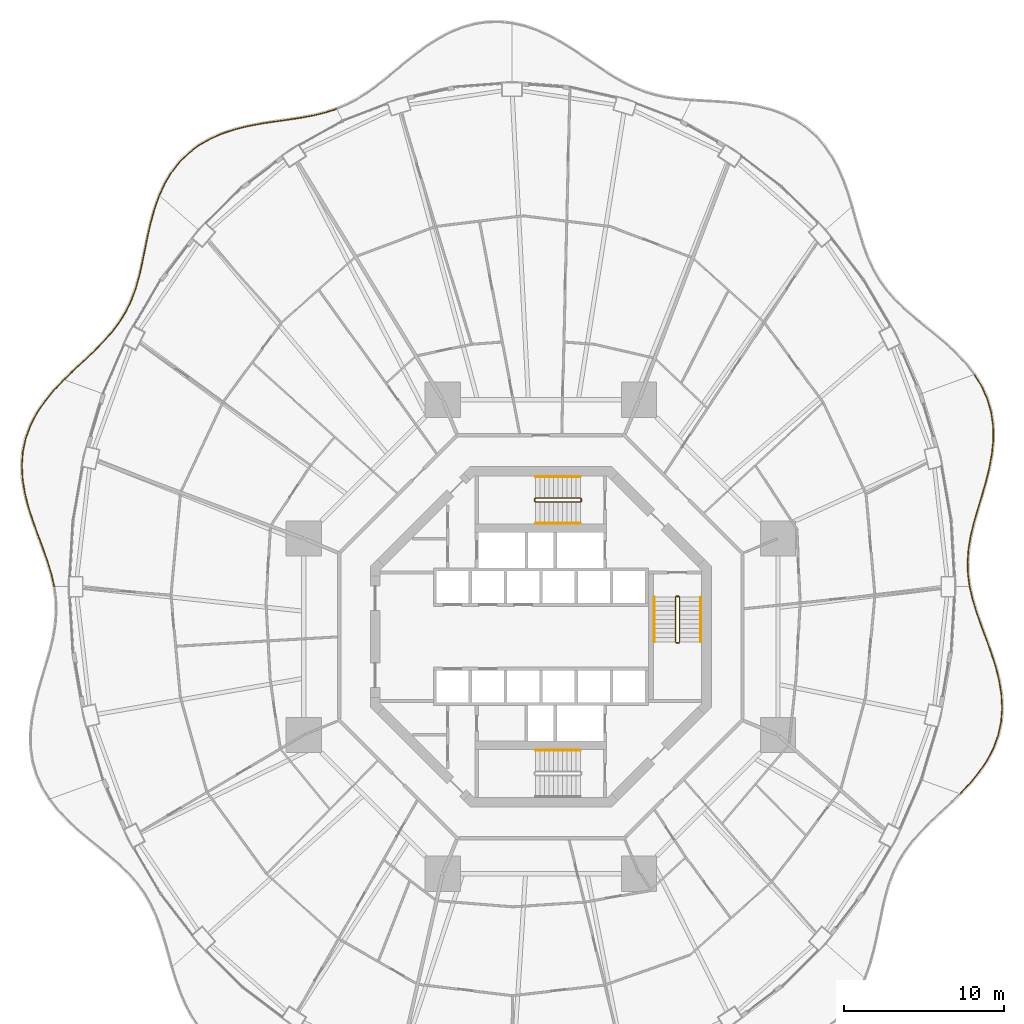
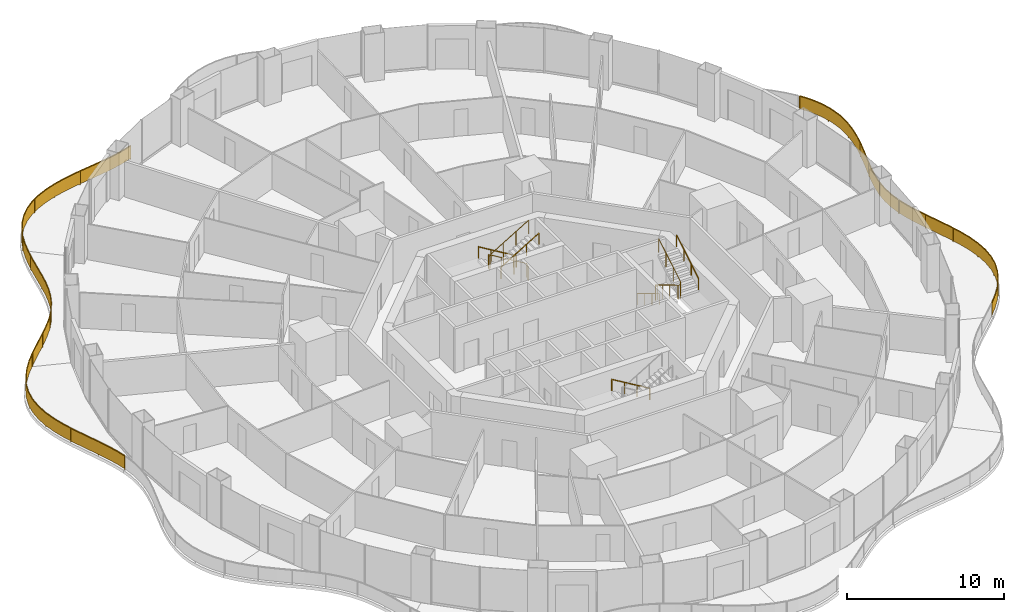
# One storey, part 23 of 24: 12 railings.
"""IFC4 building model written with IfcOpenShell, lengths in metres."""

from ifc_helpers import new_model, si_unit, direction, frame, origin, origin_2d, place, context, subcontext, project, spatial, polyline, rectangle, circle, outline, extrude, material, type_object, element, save


model = new_model("IFC4")

# Units and contexts
model_context = context("Model", 3, precision=1e-05, world=origin(), true_north=direction((0.0, 1.0)))
body_context = subcontext(model_context, "Body", "Model", "MODEL_VIEW")
ifc_project = project(units=[si_unit("LENGTHUNIT", "METRE"), si_unit("AREAUNIT", "SQUARE_METRE"), si_unit("VOLUMEUNIT", "CUBIC_METRE"), si_unit("PLANEANGLEUNIT", "RADIAN"), si_unit("MASSUNIT", "GRAM", prefix="KILO")], contexts=[model_context])

# Site, building, storey
site_placement = place(None, origin())
site = spatial("IfcSite", under=ifc_project, at=site_placement, CompositionType="ELEMENT")
building_placement = place(site_placement, origin())
building = spatial("IfcBuilding", under=site, at=building_placement, Name="Nagisa Residences", CompositionType="ELEMENT")
storey_placement = place(building_placement, frame((0.0, 0.0, 102.89990234375)))
storey = spatial("IfcBuildingStorey", under=building, at=storey_placement, Name="L25", CompositionType="ELEMENT", Elevation=102.89990234375)

# Railings
ifc_material_1 = material(Name="Stainless steel 316", Category="steel")
railing_type_1 = type_object("IfcRailingType", Name="BALCONY GUARD 1100", PredefinedType="BALUSTRADE", material=ifc_material_1)
railing_1_placement = place(storey_placement, frame((26.72900390625, 3.15234375, 0.0)))
element("IfcRailing", 1, at=railing_1_placement, inside=storey, type_object=railing_type_1, Name="guard:L25:bal00-0", PredefinedType="BALUSTRADE", context=body_context, shape_type="SweptSolid", body=[
    extrude(outline(polyline([(-0.12548828125, 0.743896484375), (-0.02490234375, -0.00341796875), (0.02490234375, 0.00341796875), (-0.07568359375, 0.747802734375), (-0.098876953125, 1.53271484375), (-0.039794921875, 2.3232421875), (0.09423828125, 3.12548828125), (0.28955078125, 3.94384765625), (0.529296875, 4.766845703125), (0.786865234375, 5.62255859375), (1.038330078125, 6.49462890625), (1.25732421875, 7.378662109375), (1.419189453125, 8.268310546875), (1.504638671875, 9.141357421875), (1.489013671875, 10.016357421875), (1.3642578125, 10.8701171875), (1.124755859375, 11.69384765625), (0.771728515625, 12.48046875), (0.3369140625, 13.184326171875), (0.29443359375, 13.157958984375), (0.727294921875, 12.45703125), (1.077880859375, 11.6767578125), (1.3154296875, 10.859375), (1.439208984375, 10.012451171875), (1.454345703125, 9.143310546875), (1.369384765625, 8.275146484375), (1.20849609375, 7.389404296875), (0.989990234375, 6.5078125), (0.739013671875, 5.63671875), (0.4814453125, 4.781005859375), (0.2412109375, 3.95654296875), (0.044921875, 3.13525390625), (-0.089599609375, 2.3291015625), (-0.149169921875, 1.53369140625), (-0.12548828125, 0.743896484375)])), frame((0.0, 0.0, 1.050048828125)), (0.0, 0.0, 1.0), 0.050048828125),
    extrude(outline(polyline([(-0.107666015625, 0.745361328125), (-0.0068359375, -0.0009765625), (0.0068359375, 0.0009765625), (-0.093505859375, 0.746337890625), (-0.116943359375, 1.532958984375), (-0.057861328125, 2.325439453125), (0.076416015625, 3.12890625), (0.272216796875, 3.948486328125), (0.511962890625, 4.77197265625), (0.769775390625, 5.627685546875), (1.02099609375, 6.49951171875), (1.23974609375, 7.382568359375), (1.401123046875, 8.270751953125), (1.486572265625, 9.14208984375), (1.47119140625, 10.014892578125), (1.3466796875, 10.8662109375), (1.10791015625, 11.687744140625), (0.755615234375, 12.471923828125), (0.321533203125, 13.1748046875), (0.309814453125, 13.16748046875), (0.743408203125, 12.465576171875), (1.0947265625, 11.682861328125), (1.3330078125, 10.86328125), (1.45703125, 10.013916015625), (1.472412109375, 9.142578125), (1.387451171875, 8.272705078125), (1.22607421875, 7.385498046875), (1.00732421875, 6.5029296875), (0.756103515625, 5.631591796875), (0.498779296875, 4.77587890625), (0.258544921875, 3.951904296875), (0.062744140625, 3.1318359375), (-0.071533203125, 2.326904296875), (-0.131103515625, 1.533447265625), (-0.107666015625, 0.745361328125)])), frame((0.0, 0.0, 0.06005859375)), (0.0, 0.0, 1.0), 0.989990234375),
    extrude(rectangle(XDim=0.0400390625, YDim=0.0400390625, at=origin_2d()), origin(), (0.0, 0.0, 1.0), 1.050048828125),
    extrude(rectangle(XDim=0.0400390625, YDim=0.0400390625, at=origin_2d()), frame((-0.06982421875, 2.259033203125, 0.0)), (0.0, 0.0, 1.0), 1.050048828125),
    extrude(rectangle(XDim=0.0400390625, YDim=0.0400390625, at=origin_2d()), frame((0.417236328125, 4.47119140625, 0.0)), (0.0, 0.0, 1.0), 1.050048828125),
    extrude(rectangle(XDim=0.0400390625, YDim=0.0400390625, at=origin_2d()), frame((1.05078125, 6.649169921875, 0.0)), (0.0, 0.0, 1.0), 1.050048828125),
    extrude(rectangle(XDim=0.0400390625, YDim=0.0400390625, at=origin_2d()), frame((1.45361328125, 8.877685546875, 0.0)), (0.0, 0.0, 1.0), 1.050048828125),
    extrude(rectangle(XDim=0.0400390625, YDim=0.0400390625, at=origin_2d()), frame((1.264404296875, 11.124755859375, 0.0)), (0.0, 0.0, 1.0), 1.050048828125),
    extrude(rectangle(XDim=0.0400390625, YDim=0.0400390625, at=origin_2d()), frame((0.315673828125, 13.171142578125, 0.0)), (0.0, 0.0, 1.0), 1.050048828125),
])
railing_2_placement = place(storey_placement, frame((-12.752197265625, 32.90380859375, 0.0)))
element("IfcRailing", 2, at=railing_2_placement, inside=storey, type_object=railing_type_1, Name="guard:L25:bal05-0", PredefinedType="BALUSTRADE", context=body_context, shape_type="SweptSolid", body=[
    extrude(outline(polyline([(-0.658447265625, -0.240478515625), (0.0078125, -0.023681640625), (-0.0078125, 0.023681640625), (-0.672119140625, -0.192138671875), (-1.409912109375, -0.373291015625), (-2.180908203125, -0.51708984375), (-2.982177734375, -0.63916015625), (-3.806640625, -0.755859375), (-4.631103515625, -0.87548828125), (-5.471923828125, -1.0341796875), (-6.301025390625, -1.23828125), (-7.10498046875, -1.501708984375), (-7.86865234375, -1.834716796875), (-8.567626953125, -2.233642578125), (-9.215576171875, -2.722412109375), (-9.791748046875, -3.288818359375), (-10.2919921875, -3.927490234375), (-10.71533203125, -4.62939453125), (-11.0439453125, -5.341552734375), (-10.99853515625, -5.362548828125), (-10.6708984375, -4.65283203125), (-10.25048828125, -3.955810546875), (-9.754150390625, -3.322021484375), (-9.182861328125, -2.760498046875), (-8.540283203125, -2.275634765625), (-7.84619140625, -1.879638671875), (-7.0869140625, -1.548583984375), (-6.287353515625, -1.28662109375), (-5.461181640625, -1.0830078125), (-4.622802734375, -0.9248046875), (-3.79931640625, -0.80517578125), (-2.974853515625, -0.6884765625), (-2.172607421875, -0.56640625), (-1.399169921875, -0.422119140625), (-0.658447265625, -0.240478515625)])), frame((0.0, 0.0, 1.050048828125)), (0.0, 0.0, 1.0), 0.050048828125),
    extrude(outline(polyline([(-0.663330078125, -0.22314453125), (0.002197265625, -0.006591796875), (-0.002197265625, 0.006591796875), (-0.667236328125, -0.20947265625), (-1.406005859375, -0.390869140625), (-2.177978515625, -0.534912109375), (-2.9794921875, -0.656982421875), (-3.803955078125, -0.773681640625), (-4.628173828125, -0.893310546875), (-5.468017578125, -1.0517578125), (-6.296142578125, -1.255615234375), (-7.098388671875, -1.5185546875), (-7.860595703125, -1.850830078125), (-8.557861328125, -2.248779296875), (-9.203857421875, -2.736083984375), (-9.778076171875, -3.30078125), (-10.277099609375, -3.937744140625), (-10.69921875, -4.637939453125), (-11.027587890625, -5.34912109375), (-11.014892578125, -5.35498046875), (-10.68701171875, -4.644287109375), (-10.265380859375, -3.945556640625), (-9.767822265625, -3.31005859375), (-9.194580078125, -2.746826171875), (-8.550048828125, -2.260498046875), (-7.854248046875, -1.863525390625), (-7.093505859375, -1.53173828125), (-6.292236328125, -1.269287109375), (-5.465087890625, -1.0654296875), (-4.625732421875, -0.906982421875), (-3.802001953125, -0.787353515625), (-2.9775390625, -0.670654296875), (-2.175537109375, -0.548583984375), (-1.403076171875, -0.404541015625), (-0.663330078125, -0.22314453125)])), frame((0.0, 0.0, 0.06005859375)), (0.0, 0.0, 1.0), 0.989990234375),
    extrude(rectangle(XDim=0.0400390625, YDim=0.0400390625, at=origin_2d()), origin(), (0.0, 0.0, 1.0), 1.050048828125),
    extrude(rectangle(XDim=0.0400390625, YDim=0.0400390625, at=origin_2d()), frame((-2.08642578125, -0.52490234375, 0.0)), (0.0, 0.0, 1.0), 1.050048828125),
    extrude(rectangle(XDim=0.0400390625, YDim=0.0400390625, at=origin_2d()), frame((-4.217529296875, -0.8408203125, 0.0)), (0.0, 0.0, 1.0), 1.050048828125),
    extrude(rectangle(XDim=0.0400390625, YDim=0.0400390625, at=origin_2d()), frame((-6.326416015625, -1.27294921875, 0.0)), (0.0, 0.0, 1.0), 1.050048828125),
    extrude(rectangle(XDim=0.0400390625, YDim=0.0400390625, at=origin_2d()), frame((-8.3037109375, -2.11181640625, 0.0)), (0.0, 0.0, 1.0), 1.050048828125),
    extrude(rectangle(XDim=0.0400390625, YDim=0.0400390625, at=origin_2d()), frame((-9.92919921875, -3.505126953125, 0.0)), (0.0, 0.0, 1.0), 1.050048828125),
    extrude(rectangle(XDim=0.0400390625, YDim=0.0400390625, at=origin_2d()), frame((-11.021240234375, -5.35205078125, 0.0)), (0.0, 0.0, 1.0), 1.050048828125),
])
railing_3_placement = place(storey_placement, frame((-23.802001953125, 27.47998046875, 0.0)))
element("IfcRailing", 3, at=railing_3_placement, inside=storey, type_object=railing_type_1, Name="guard:L25:bal06-0", PredefinedType="BALUSTRADE", context=body_context, shape_type="SweptSolid", body=[
    extrude(outline(polyline([(-0.255859375, -0.795166015625), (0.023681640625, -0.00830078125), (-0.023681640625, 0.00830078125), (-0.3037109375, -0.780029296875), (-0.542724609375, -1.63818359375), (-0.73974609375, -2.505126953125), (-0.913818359375, -3.365966796875), (-1.084716796875, -4.20654296875), (-1.263671875, -5.00390625), (-1.485595703125, -5.775390625), (-1.757080078125, -6.505615234375), (-2.08935546875, -7.194580078125), (-2.488525390625, -7.845947265625), (-2.947998046875, -8.453857421875), (-3.477294921875, -9.052734375), (-4.058837890625, -9.64013671875), (-4.677490234375, -10.2265625), (-5.314453125, -10.822998046875), (-5.916748046875, -11.405029296875), (-5.882080078125, -11.441162109375), (-5.27978515625, -10.859130859375), (-4.643310546875, -10.26318359375), (-4.023681640625, -9.67578125), (-3.440673828125, -9.0869140625), (-2.909423828125, -8.485595703125), (-2.447021484375, -7.874267578125), (-2.04541015625, -7.218505859375), (-1.711181640625, -6.525146484375), (-1.438232421875, -5.791015625), (-1.21533203125, -5.01611328125), (-1.035888671875, -4.216796875), (-0.864990234375, -3.375732421875), (-0.69091796875, -2.515869140625), (-0.494384765625, -1.650390625), (-0.255859375, -0.795166015625)])), frame((0.0, 0.0, 1.050048828125)), (0.0, 0.0, 1.0), 0.050048828125),
    extrude(outline(polyline([(-0.273193359375, -0.789794921875), (0.006591796875, -0.00244140625), (-0.006591796875, 0.00244140625), (-0.286376953125, -0.785400390625), (-0.525390625, -1.642578125), (-0.72216796875, -2.509033203125), (-0.896240234375, -3.369384765625), (-1.067138671875, -4.210205078125), (-1.246337890625, -5.00830078125), (-1.468505859375, -5.781005859375), (-1.740478515625, -6.5126953125), (-2.073486328125, -7.203125), (-2.4736328125, -7.856201171875), (-2.93408203125, -8.46533203125), (-3.464111328125, -9.06494140625), (-4.046142578125, -9.653076171875), (-4.665283203125, -10.23974609375), (-5.302001953125, -10.8359375), (-5.904296875, -11.41796875), (-5.89453125, -11.42822265625), (-5.292236328125, -10.84619140625), (-4.655517578125, -10.25), (-4.036376953125, -9.662841796875), (-3.453857421875, -9.07470703125), (-2.92333984375, -8.47412109375), (-2.4619140625, -7.864013671875), (-2.061279296875, -7.2099609375), (-1.727783203125, -6.51806640625), (-1.455322265625, -5.785400390625), (-1.232666015625, -5.01171875), (-1.053466796875, -4.213134765625), (-0.882568359375, -3.372314453125), (-0.70849609375, -2.511962890625), (-0.51171875, -1.64599609375), (-0.273193359375, -0.789794921875)])), frame((0.0, 0.0, 0.06005859375)), (0.0, 0.0, 1.0), 0.989990234375),
    extrude(rectangle(XDim=0.0400390625, YDim=0.0400390625, at=origin_2d()), origin(), (0.0, 0.0, 1.0), 1.050048828125),
    extrude(rectangle(XDim=0.0400390625, YDim=0.0400390625, at=origin_2d()), frame((-0.625244140625, -2.1142578125, 0.0)), (0.0, 0.0, 1.0), 1.050048828125),
    extrude(rectangle(XDim=0.0400390625, YDim=0.0400390625, at=origin_2d()), frame((-1.074462890625, -4.275146484375, 0.0)), (0.0, 0.0, 1.0), 1.050048828125),
    extrude(rectangle(XDim=0.0400390625, YDim=0.0400390625, at=origin_2d()), frame((-1.688232421875, -6.391845703125, 0.0)), (0.0, 0.0, 1.0), 1.050048828125),
    extrude(rectangle(XDim=0.0400390625, YDim=0.0400390625, at=origin_2d()), frame((-2.79443359375, -8.2919921875, 0.0)), (0.0, 0.0, 1.0), 1.050048828125),
    extrude(rectangle(XDim=0.0400390625, YDim=0.0400390625, at=origin_2d()), frame((-4.299560546875, -9.90283203125, 0.0)), (0.0, 0.0, 1.0), 1.050048828125),
    extrude(rectangle(XDim=0.0400390625, YDim=0.0400390625, at=origin_2d()), frame((-5.8994140625, -11.423095703125, 0.0)), (0.0, 0.0, 1.0), 1.050048828125),
])
railing_4_placement = place(storey_placement, frame((-29.75634765625, 16.003173828125, 0.0)))
element("IfcRailing", 4, at=railing_4_placement, inside=storey, type_object=railing_type_1, Name="guard:L25:bal07-0", PredefinedType="BALUSTRADE", context=body_context, shape_type="SweptSolid", body=[
    extrude(outline(polyline([(-0.5771484375, -0.64453125), (0.01806640625, -0.017333984375), (-0.01806640625, 0.017333984375), (-0.61474609375, -0.611328125), (-1.187744140625, -1.3095703125), (-1.685791015625, -2.044921875), (-2.089599609375, -2.818603515625), (-2.38525390625, -3.62646484375), (-2.562255859375, -4.450439453125), (-2.62646484375, -5.310302734375), (-2.58056640625, -6.183837890625), (-2.437744140625, -7.062744140625), (-2.216552734375, -7.939208984375), (-1.937744140625, -8.792724609375), (-1.630126953125, -9.64599609375), (-1.31884765625, -10.482421875), (-1.029296875, -11.301513671875), (-0.784423828125, -12.10498046875), (-0.611328125, -12.85693359375), (-0.5625, -12.845703125), (-0.736083984375, -12.09228515625), (-0.98193359375, -11.285888671875), (-1.27197265625, -10.46533203125), (-1.583251953125, -9.62890625), (-1.890380859375, -8.776611328125), (-2.168212890625, -7.925537109375), (-2.388916015625, -7.052490234375), (-2.53076171875, -6.178466796875), (-2.576171875, -5.310791015625), (-2.512451171875, -4.457763671875), (-2.3369140625, -3.640625), (-2.043701171875, -2.838623046875), (-1.642822265625, -2.07080078125), (-1.147705078125, -1.33935546875), (-0.5771484375, -0.64453125)])), frame((0.0, 0.0, 1.050048828125)), (0.0, 0.0, 1.0), 0.050048828125),
    extrude(outline(polyline([(-0.590576171875, -0.632568359375), (0.005126953125, -0.0048828125), (-0.005126953125, 0.0048828125), (-0.601318359375, -0.623291015625), (-1.17333984375, -1.3203125), (-1.67041015625, -2.05419921875), (-2.072998046875, -2.82568359375), (-2.367919921875, -3.631591796875), (-2.544189453125, -4.453125), (-2.6083984375, -5.310546875), (-2.562744140625, -6.181884765625), (-2.420166015625, -7.05908203125), (-2.19921875, -7.934326171875), (-1.920654296875, -8.786865234375), (-1.61328125, -9.639892578125), (-1.302001953125, -10.476318359375), (-1.01220703125, -11.2958984375), (-0.76708984375, -12.100341796875), (-0.59375, -12.852783203125), (-0.580078125, -12.849853515625), (-0.75341796875, -12.096923828125), (-0.9990234375, -11.29150390625), (-1.288818359375, -10.471435546875), (-1.60009765625, -9.635009765625), (-1.907470703125, -8.782470703125), (-2.185546875, -7.930419921875), (-2.406494140625, -7.05615234375), (-2.548583984375, -6.180419921875), (-2.59423828125, -5.310546875), (-2.530517578125, -4.455078125), (-2.354248046875, -3.635498046875), (-2.060302734375, -2.83154296875), (-1.658203125, -2.0615234375), (-1.162109375, -1.32861328125), (-0.590576171875, -0.632568359375)])), frame((0.0, 0.0, 0.06005859375)), (0.0, 0.0, 1.0), 0.989990234375),
    extrude(rectangle(XDim=0.0400390625, YDim=0.0400390625, at=origin_2d()), origin(), (0.0, 0.0, 1.0), 1.050048828125),
    extrude(rectangle(XDim=0.0400390625, YDim=0.0400390625, at=origin_2d()), frame((-1.477783203125, -1.7822265625, 0.0)), (0.0, 0.0, 1.0), 1.050048828125),
    extrude(rectangle(XDim=0.0400390625, YDim=0.0400390625, at=origin_2d()), frame((-2.415771484375, -3.887939453125, 0.0)), (0.0, 0.0, 1.0), 1.050048828125),
    extrude(rectangle(XDim=0.0400390625, YDim=0.0400390625, at=origin_2d()), frame((-2.553955078125, -6.191162109375, 0.0)), (0.0, 0.0, 1.0), 1.050048828125),
    extrude(rectangle(XDim=0.0400390625, YDim=0.0400390625, at=origin_2d()), frame((-2.02490234375, -8.4453125, 0.0)), (0.0, 0.0, 1.0), 1.050048828125),
    extrude(rectangle(XDim=0.0400390625, YDim=0.0400390625, at=origin_2d()), frame((-1.24072265625, -10.628173828125, 0.0)), (0.0, 0.0, 1.0), 1.050048828125),
    extrude(rectangle(XDim=0.0400390625, YDim=0.0400390625, at=origin_2d()), frame((-0.5869140625, -12.851318359375, 0.0)), (0.0, 0.0, 1.0), 1.050048828125),
])
railing_5_placement = place(storey_placement, frame((26.15625, -9.767822265625, 0.0)))
element("IfcRailing", 5, at=railing_5_placement, inside=storey, type_object=railing_type_1, Name="guard:L25:bal15-0", PredefinedType="BALUSTRADE", context=body_context, shape_type="SweptSolid", body=[
    extrude(outline(polyline([(0.5771484375, 0.644775390625), (-0.01806640625, 0.017333984375), (0.01806640625, -0.017333984375), (0.61474609375, 0.611572265625), (1.18798828125, 1.3095703125), (1.685791015625, 2.044921875), (2.089599609375, 2.818359375), (2.385498046875, 3.62646484375), (2.5625, 4.450439453125), (2.62646484375, 5.310302734375), (2.58056640625, 6.183837890625), (2.437744140625, 7.062744140625), (2.216552734375, 7.939208984375), (1.937744140625, 8.792724609375), (1.63037109375, 9.64599609375), (1.319091796875, 10.482421875), (1.029541015625, 11.301513671875), (0.78466796875, 12.10498046875), (0.611328125, 12.85693359375), (0.5625, 12.845703125), (0.736328125, 12.09228515625), (0.982177734375, 11.285888671875), (1.272216796875, 10.46533203125), (1.58349609375, 9.62890625), (1.890380859375, 8.776611328125), (2.168212890625, 7.925537109375), (2.388916015625, 7.052490234375), (2.53076171875, 6.178466796875), (2.576171875, 5.310791015625), (2.5126953125, 4.457763671875), (2.337158203125, 3.640625), (2.043701171875, 2.8388671875), (1.642822265625, 2.07080078125), (1.14794921875, 1.33935546875), (0.5771484375, 0.644775390625)])), frame((0.0, 0.0, 1.050048828125)), (0.0, 0.0, 1.0), 0.050048828125),
    extrude(outline(polyline([(0.590576171875, 0.6328125), (-0.005126953125, 0.0048828125), (0.005126953125, -0.0048828125), (0.601318359375, 0.62353515625), (1.173583984375, 1.3203125), (1.67041015625, 2.05419921875), (2.072998046875, 2.82568359375), (2.3681640625, 3.631591796875), (2.54443359375, 4.453125), (2.6083984375, 5.310546875), (2.562744140625, 6.181884765625), (2.420166015625, 7.05908203125), (2.19921875, 7.934326171875), (1.920654296875, 8.786865234375), (1.613525390625, 9.639892578125), (1.30224609375, 10.476318359375), (1.012451171875, 11.2958984375), (0.767333984375, 12.100341796875), (0.59375, 12.852783203125), (0.580078125, 12.849853515625), (0.753662109375, 12.096923828125), (0.999267578125, 11.29150390625), (1.2890625, 10.471435546875), (1.600341796875, 9.635009765625), (1.907470703125, 8.782470703125), (2.185546875, 7.930419921875), (2.406494140625, 7.05615234375), (2.548583984375, 6.180419921875), (2.59423828125, 5.310546875), (2.53076171875, 4.455078125), (2.3544921875, 3.635498046875), (2.060302734375, 2.83154296875), (1.658203125, 2.0615234375), (1.162353515625, 1.32861328125), (0.590576171875, 0.6328125)])), frame((0.0, 0.0, 0.06005859375)), (0.0, 0.0, 1.0), 0.989990234375),
    extrude(rectangle(XDim=0.0400390625, YDim=0.0400390625, at=origin_2d()), origin(), (0.0, 0.0, 1.0), 1.050048828125),
    extrude(rectangle(XDim=0.0400390625, YDim=0.0400390625, at=origin_2d()), frame((1.477783203125, 1.7822265625, 0.0)), (0.0, 0.0, 1.0), 1.050048828125),
    extrude(rectangle(XDim=0.0400390625, YDim=0.0400390625, at=origin_2d()), frame((2.416015625, 3.887939453125, 0.0)), (0.0, 0.0, 1.0), 1.050048828125),
    extrude(rectangle(XDim=0.0400390625, YDim=0.0400390625, at=origin_2d()), frame((2.553955078125, 6.19091796875, 0.0)), (0.0, 0.0, 1.0), 1.050048828125),
    extrude(rectangle(XDim=0.0400390625, YDim=0.0400390625, at=origin_2d()), frame((2.02490234375, 8.4453125, 0.0)), (0.0, 0.0, 1.0), 1.050048828125),
    extrude(rectangle(XDim=0.0400390625, YDim=0.0400390625, at=origin_2d()), frame((1.240966796875, 10.628173828125, 0.0)), (0.0, 0.0, 1.0), 1.050048828125),
    extrude(rectangle(XDim=0.0400390625, YDim=0.0400390625, at=origin_2d()), frame((0.5869140625, 12.851318359375, 0.0)), (0.0, 0.0, 1.0), 1.050048828125),
])
ifc_material_2 = material(Name="Stainless steel", Category="steel")
railing_type_2 = type_object("IfcRailingType", Name="Stair guard 1100", PredefinedType="GUARDRAIL", material=ifc_material_2)
railing_6_placement = place(storey_placement, frame((8.599609375, 2.52490234375, 0.0)))
element("IfcRailing", 6, at=railing_6_placement, inside=storey, type_object=railing_type_2, Name="L25 ST-E stair guard 1", PredefinedType="GUARDRAIL", context=body_context, shape_type="SweptSolid", body=[
    extrude(circle(Radius=0.02392578125, at=origin_2d()), frame((0.0, 0.0, 1.076171875), z_axis=(-1.0, 0.0, 0.0), x_axis=(0.0, -1.0, 0.0)), (0.0, 0.0, 1.0), 0.14990234375),
    extrude(circle(Radius=0.02392578125, at=origin_2d()), frame((-0.14990234375, 0.0, 1.076171875), z_axis=(-0.27434429532, -0.273006030465, 0.922064485248), x_axis=(0.705375805398, -0.708833529934, 0.0)), (0.0, 0.0, 1.0), 0.182373046875),
    extrude(circle(Radius=0.02392578125, at=origin_2d()), frame((-0.199951171875, -0.0498046875, 1.244140625), z_axis=(0.0, -0.857242210791, 0.514913383045), x_axis=(1.0, 0.0, 0.0)), (0.0, 0.0, 1.0), 3.266357421875),
    extrude(circle(Radius=0.02392578125, at=origin_2d()), frame((-0.199951171875, -2.849853515625, 2.92626953125), z_axis=(0.707106781187, -0.707106781187, 0.0), x_axis=(0.707106781187, 0.707106781187, 0.0)), (0.0, 0.0, 1.0), 0.07080078125),
    extrude(circle(Radius=0.02392578125, at=origin_2d()), frame((-0.14990234375, -2.89990234375, 2.92626953125), z_axis=(1.0, 0.0, 0.0), x_axis=(0.0, 1.0, 0.0)), (0.0, 0.0, 1.0), 0.14990234375),
    extrude(circle(Radius=0.02392578125, at=origin_2d()), frame((0.0, -2.89990234375, 2.92626953125), z_axis=(0.274243871929, 0.274243871929, 0.92172696468), x_axis=(-0.707106781187, 0.707106781187, 0.0)), (0.0, 0.0, 1.0), 0.1826171875),
    extrude(circle(Radius=0.02392578125, at=origin_2d()), frame((0.050048828125, -2.849853515625, 3.09423828125), z_axis=(0.0, 0.857242210791, 0.514913383045), x_axis=(-1.0, 0.0, 0.0)), (0.0, 0.0, 1.0), 3.266357421875),
    extrude(circle(Radius=0.02099609375, at=origin_2d()), origin(), (0.0, 0.0, 1.0), 1.052001953125),
    extrude(circle(Radius=0.02099609375, at=origin_2d()), frame((-0.14990234375, 0.0, 0.0)), (0.0, 0.0, 1.0), 1.052001953125),
    extrude(circle(Radius=0.02099609375, at=origin_2d()), frame((-0.199951171875, -0.0498046875, 0.168212890625)), (0.0, 0.0, 1.0), 1.052001953125),
    extrude(circle(Radius=0.02099609375, at=origin_2d()), frame((-0.199951171875, -0.983154296875, 0.728759765625)), (0.0, 0.0, 1.0), 1.052001953125),
    extrude(circle(Radius=0.02099609375, at=origin_2d()), frame((-0.199951171875, -1.91650390625, 1.28955078125)), (0.0, 0.0, 1.0), 1.052001953125),
    extrude(circle(Radius=0.02099609375, at=origin_2d()), frame((-0.199951171875, -2.849853515625, 1.85009765625)), (0.0, 0.0, 1.0), 1.052001953125),
    extrude(circle(Radius=0.02099609375, at=origin_2d()), frame((-0.14990234375, -2.89990234375, 1.85009765625)), (0.0, 0.0, 1.0), 1.052001953125),
    extrude(circle(Radius=0.02099609375, at=origin_2d()), frame((0.0, -2.89990234375, 1.85009765625)), (0.0, 0.0, 1.0), 1.052001953125),
    extrude(circle(Radius=0.02099609375, at=origin_2d()), frame((0.050048828125, -2.849853515625, 2.018310546875)), (0.0, 0.0, 1.0), 1.052001953125),
    extrude(circle(Radius=0.02099609375, at=origin_2d()), frame((0.050048828125, -1.91650390625, 2.578857421875)), (0.0, 0.0, 1.0), 1.052001953125),
    extrude(circle(Radius=0.02099609375, at=origin_2d()), frame((0.050048828125, -0.983154296875, 3.1396484375)), (0.0, 0.0, 1.0), 1.052001953125),
    extrude(circle(Radius=0.02099609375, at=origin_2d()), frame((0.050048828125, -0.0498046875, 3.7001953125)), (0.0, 0.0, 1.0), 1.052001953125),
])
railing_7_placement = place(storey_placement, frame((2.52490234375, 8.44970703125, 0.0)))
element("IfcRailing", 7, at=railing_7_placement, inside=storey, type_object=railing_type_2, Name="L25 ST-N stair guard 1", PredefinedType="GUARDRAIL", context=body_context, shape_type="SweptSolid", body=[
    extrude(circle(Radius=0.02392578125, at=origin_2d()), frame((0.0, 0.0, 1.076171875), z_axis=(0.0, 1.0, 0.0), x_axis=(-1.0, 0.0, 0.0)), (0.0, 0.0, 1.0), 0.14990234375),
    extrude(circle(Radius=0.02392578125, at=origin_2d()), frame((0.0, 0.14990234375, 1.076171875), z_axis=(-0.273006030465, 0.27434429532, 0.922064485248), x_axis=(-0.708833529934, -0.705375805398, 0.0)), (0.0, 0.0, 1.0), 0.182373046875),
    extrude(circle(Radius=0.02392578125, at=origin_2d()), frame((-0.0498046875, 0.199951171875, 1.244140625), z_axis=(-0.857242210791, 0.0, 0.514913383045), x_axis=(0.0, -1.0, 0.0)), (0.0, 0.0, 1.0), 3.266357421875),
    extrude(circle(Radius=0.02392578125, at=origin_2d()), frame((-2.849853515625, 0.199951171875, 2.92626953125), z_axis=(-0.707106781187, -0.707106781187, 0.0), x_axis=(0.707106781187, -0.707106781187, 0.0)), (0.0, 0.0, 1.0), 0.07080078125),
    extrude(circle(Radius=0.02392578125, at=origin_2d()), frame((-2.89990234375, 0.14990234375, 2.92626953125), z_axis=(0.0, -1.0, 0.0), x_axis=(1.0, 0.0, 0.0)), (0.0, 0.0, 1.0), 0.14990234375),
    extrude(circle(Radius=0.02392578125, at=origin_2d()), frame((-2.89990234375, 0.0, 2.92626953125), z_axis=(0.274243871929, -0.274243871929, 0.92172696468), x_axis=(0.707106781187, 0.707106781187, 0.0)), (0.0, 0.0, 1.0), 0.1826171875),
    extrude(circle(Radius=0.02392578125, at=origin_2d()), frame((-2.849853515625, -0.050048828125, 3.09423828125), z_axis=(0.857242210791, 0.0, 0.514913383045), x_axis=(0.0, 1.0, 0.0)), (0.0, 0.0, 1.0), 3.266357421875),
    extrude(circle(Radius=0.02099609375, at=origin_2d()), origin(), (0.0, 0.0, 1.0), 1.052001953125),
    extrude(circle(Radius=0.02099609375, at=origin_2d()), frame((0.0, 0.14990234375, 0.0)), (0.0, 0.0, 1.0), 1.052001953125),
    extrude(circle(Radius=0.02099609375, at=origin_2d()), frame((-0.0498046875, 0.199951171875, 0.168212890625)), (0.0, 0.0, 1.0), 1.052001953125),
    extrude(circle(Radius=0.02099609375, at=origin_2d()), frame((-0.983154296875, 0.199951171875, 0.728759765625)), (0.0, 0.0, 1.0), 1.052001953125),
    extrude(circle(Radius=0.02099609375, at=origin_2d()), frame((-1.91650390625, 0.199951171875, 1.28955078125)), (0.0, 0.0, 1.0), 1.052001953125),
    extrude(circle(Radius=0.02099609375, at=origin_2d()), frame((-2.849853515625, 0.199951171875, 1.85009765625)), (0.0, 0.0, 1.0), 1.052001953125),
    extrude(circle(Radius=0.02099609375, at=origin_2d()), frame((-2.89990234375, 0.14990234375, 1.85009765625)), (0.0, 0.0, 1.0), 1.052001953125),
    extrude(circle(Radius=0.02099609375, at=origin_2d()), frame((-2.89990234375, 0.0, 1.85009765625)), (0.0, 0.0, 1.0), 1.052001953125),
    extrude(circle(Radius=0.02099609375, at=origin_2d()), frame((-2.849853515625, -0.050048828125, 2.018310546875)), (0.0, 0.0, 1.0), 1.052001953125),
    extrude(circle(Radius=0.02099609375, at=origin_2d()), frame((-1.91650390625, -0.050048828125, 2.578857421875)), (0.0, 0.0, 1.0), 1.052001953125),
    extrude(circle(Radius=0.02099609375, at=origin_2d()), frame((-0.983154296875, -0.050048828125, 3.1396484375)), (0.0, 0.0, 1.0), 1.052001953125),
    extrude(circle(Radius=0.02099609375, at=origin_2d()), frame((-0.0498046875, -0.050048828125, 3.7001953125)), (0.0, 0.0, 1.0), 1.052001953125),
])
ifc_material_3 = material(Name="Stainless steel", Category="steel")
railing_type_3 = type_object("IfcRailingType", Name="Stair handrail 900", PredefinedType="HANDRAIL", material=ifc_material_3)
railing_8_placement = place(storey_placement, frame((7.07470703125, 2.47509765625, 0.168212890625)))
element("IfcRailing", 8, at=railing_8_placement, inside=storey, type_object=railing_type_3, Name="L25 ST-E stair handrail 1", PredefinedType="HANDRAIL", context=body_context, shape_type="SweptSolid", body=[
    extrude(circle(Radius=0.02392578125, at=origin_2d()), frame((0.0, 0.0, 0.8759765625), z_axis=(0.0, -0.857242210791, 0.514913383045), x_axis=(1.0, 0.0, 0.0)), (0.0, 0.0, 1.0), 3.266357421875),
    extrude(circle(Radius=0.02099609375, at=origin_2d()), origin(), (0.0, 0.0, 1.0), 0.851806640625),
    extrude(circle(Radius=0.02099609375, at=origin_2d()), frame((0.0, -0.933349609375, 0.560546875)), (0.0, 0.0, 1.0), 0.851806640625),
    extrude(circle(Radius=0.02099609375, at=origin_2d()), frame((0.0, -1.86669921875, 1.121337890625)), (0.0, 0.0, 1.0), 0.851806640625),
    extrude(circle(Radius=0.02099609375, at=origin_2d()), frame((0.0, -2.800048828125, 1.681884765625)), (0.0, 0.0, 1.0), 0.851806640625),
])
railing_9_placement = place(storey_placement, frame((9.974609375, -0.324951171875, 2.018310546875)))
element("IfcRailing", 9, at=railing_9_placement, inside=storey, type_object=railing_type_3, Name="L25 ST-E stair handrail 2", PredefinedType="HANDRAIL", context=body_context, shape_type="SweptSolid", body=[
    extrude(circle(Radius=0.02392578125, at=origin_2d()), frame((0.0, 0.0, 0.8759765625), z_axis=(0.0, 0.857242210791, 0.514913383045), x_axis=(-1.0, 0.0, 0.0)), (0.0, 0.0, 1.0), 3.266357421875),
    extrude(circle(Radius=0.02099609375, at=origin_2d()), origin(), (0.0, 0.0, 1.0), 0.851806640625),
    extrude(circle(Radius=0.02099609375, at=origin_2d()), frame((0.0, 0.933349609375, 0.560546875)), (0.0, 0.0, 1.0), 0.851806640625),
    extrude(circle(Radius=0.02099609375, at=origin_2d()), frame((0.0, 1.86669921875, 1.121337890625)), (0.0, 0.0, 1.0), 0.851806640625),
    extrude(circle(Radius=0.02099609375, at=origin_2d()), frame((0.0, 2.800048828125, 1.681884765625)), (0.0, 0.0, 1.0), 0.851806640625),
])
railing_10_placement = place(storey_placement, frame((2.47509765625, 9.974609375, 0.168212890625)))
element("IfcRailing", 10, at=railing_10_placement, inside=storey, type_object=railing_type_3, Name="L25 ST-N stair handrail 1", PredefinedType="HANDRAIL", context=body_context, shape_type="SweptSolid", body=[
    extrude(circle(Radius=0.02392578125, at=origin_2d()), frame((0.0, 0.0, 0.8759765625), z_axis=(-0.857242210791, 0.0, 0.514913383045), x_axis=(0.0, -1.0, 0.0)), (0.0, 0.0, 1.0), 3.266357421875),
    extrude(circle(Radius=0.02099609375, at=origin_2d()), origin(), (0.0, 0.0, 1.0), 0.851806640625),
    extrude(circle(Radius=0.02099609375, at=origin_2d()), frame((-0.933349609375, 0.0, 0.560546875)), (0.0, 0.0, 1.0), 0.851806640625),
    extrude(circle(Radius=0.02099609375, at=origin_2d()), frame((-1.86669921875, 0.0, 1.121337890625)), (0.0, 0.0, 1.0), 0.851806640625),
    extrude(circle(Radius=0.02099609375, at=origin_2d()), frame((-2.800048828125, 0.0, 1.681884765625)), (0.0, 0.0, 1.0), 0.851806640625),
])
railing_11_placement = place(storey_placement, frame((-0.324951171875, 7.07470703125, 2.018310546875)))
element("IfcRailing", 11, at=railing_11_placement, inside=storey, type_object=railing_type_3, Name="L25 ST-N stair handrail 2", PredefinedType="HANDRAIL", context=body_context, shape_type="SweptSolid", body=[
    extrude(circle(Radius=0.02392578125, at=origin_2d()), frame((0.0, 0.0, 0.8759765625), z_axis=(0.857242210791, 0.0, 0.514913383045), x_axis=(0.0, 1.0, 0.0)), (0.0, 0.0, 1.0), 3.266357421875),
    extrude(circle(Radius=0.02099609375, at=origin_2d()), origin(), (0.0, 0.0, 1.0), 0.851806640625),
    extrude(circle(Radius=0.02099609375, at=origin_2d()), frame((0.933349609375, 0.0, 0.560546875)), (0.0, 0.0, 1.0), 0.851806640625),
    extrude(circle(Radius=0.02099609375, at=origin_2d()), frame((1.86669921875, 0.0, 1.121337890625)), (0.0, 0.0, 1.0), 0.851806640625),
    extrude(circle(Radius=0.02099609375, at=origin_2d()), frame((2.800048828125, 0.0, 1.681884765625)), (0.0, 0.0, 1.0), 0.851806640625),
])
railing_12_placement = place(storey_placement, frame((2.47509765625, -7.07470703125, 0.168212890625)))
element("IfcRailing", 12, at=railing_12_placement, inside=storey, type_object=railing_type_3, Name="L25 ST-S stair handrail 1", PredefinedType="HANDRAIL", context=body_context, shape_type="SweptSolid", body=[
    extrude(circle(Radius=0.02392578125, at=origin_2d()), frame((0.0, 0.0, 0.8759765625), z_axis=(-0.857242210791, 0.0, 0.514913383045), x_axis=(0.0, -1.0, 0.0)), (0.0, 0.0, 1.0), 3.266357421875),
    extrude(circle(Radius=0.02099609375, at=origin_2d()), origin(), (0.0, 0.0, 1.0), 0.851806640625),
    extrude(circle(Radius=0.02099609375, at=origin_2d()), frame((-0.933349609375, 0.0, 0.560546875)), (0.0, 0.0, 1.0), 0.851806640625),
    extrude(circle(Radius=0.02099609375, at=origin_2d()), frame((-1.86669921875, 0.0, 1.121337890625)), (0.0, 0.0, 1.0), 0.851806640625),
    extrude(circle(Radius=0.02099609375, at=origin_2d()), frame((-2.800048828125, 0.0, 1.681884765625)), (0.0, 0.0, 1.0), 0.851806640625),
])

save(model, "model.ifc")
